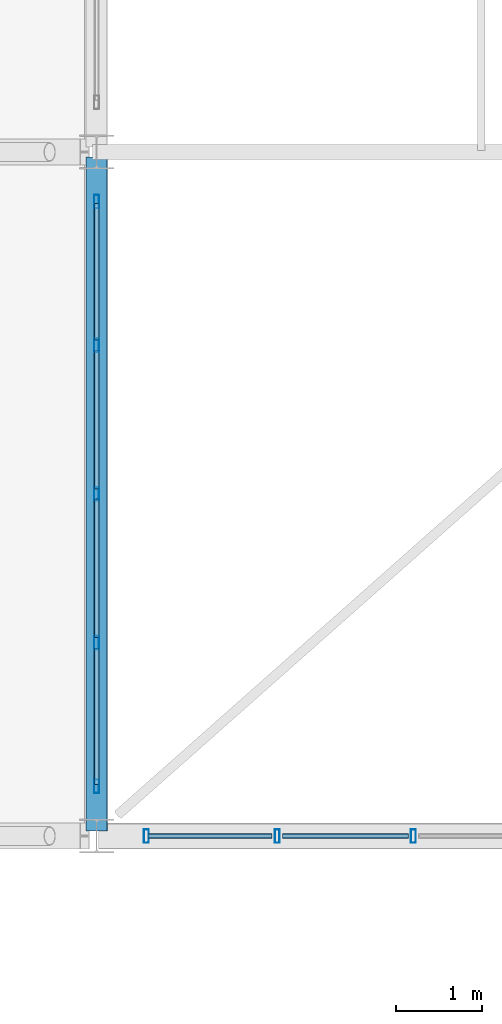
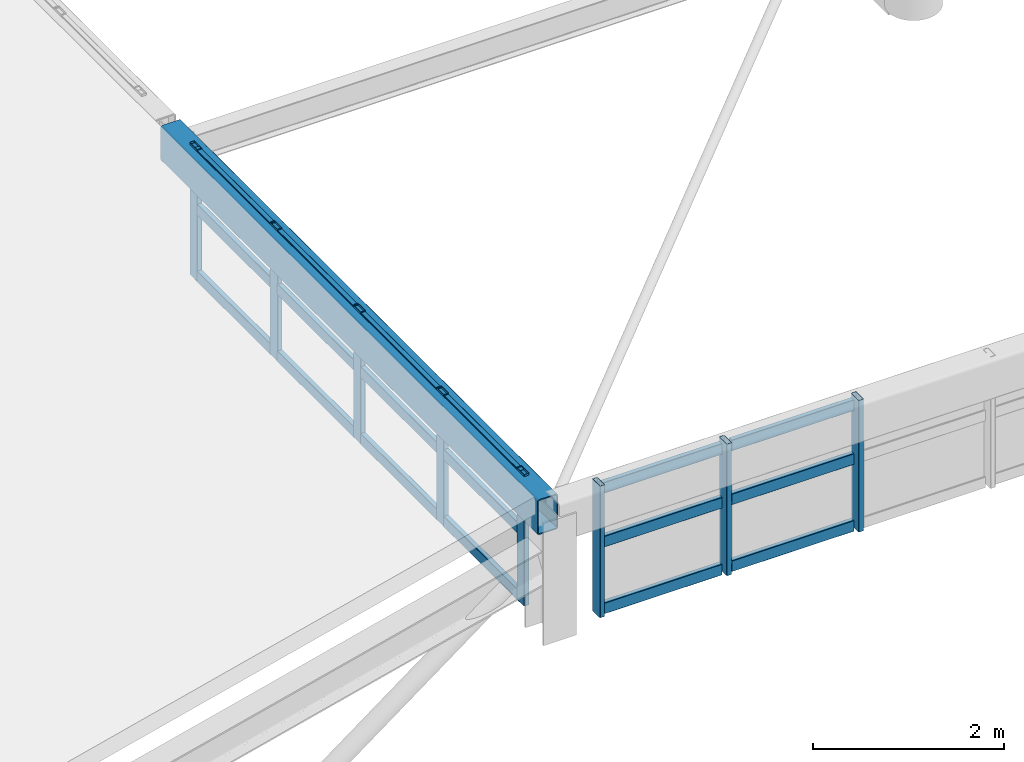
# One storey, part 12 of 128: 26 members, 1 beam, 2 elements without a shape of their own.
"""IFC4 building model written with IfcOpenShell, lengths in metres."""

from ifc_helpers import new_model, si_unit, derived_unit, direction, frame, origin, origin_2d, place, context, subcontext, project, spatial, hollow_rectangle, extrude, material, material_profile, profile_set, type_object, element, aggregate, save


model = new_model("IFC4")

# Units and contexts
model_context = context("Model", 3, precision=1e-05, world=origin(), true_north=direction((0.0, 1.0)))
body_context = subcontext(model_context, "Body", "Model", "MODEL_VIEW")
ifc_project = project(units=[si_unit("LENGTHUNIT", "METRE"), si_unit("AREAUNIT", "SQUARE_METRE"), si_unit("VOLUMEUNIT", "CUBIC_METRE"), si_unit("PLANEANGLEUNIT", "RADIAN"), si_unit("MASSUNIT", "GRAM", prefix="KILO"), derived_unit("THERMALTRANSMITTANCEUNIT", [(si_unit("MASSUNIT", "GRAM", prefix="KILO"), 1), (si_unit("TIMEUNIT", "SECOND"), -3), (si_unit("THERMODYNAMICTEMPERATUREUNIT", "KELVIN"), -1)])], contexts=[model_context])

# Site, building, storey
site_placement = place(None, origin())
site = spatial("IfcSite", under=ifc_project, at=site_placement, CompositionType="ELEMENT")
building_placement = place(site_placement, origin())
building = spatial("IfcBuilding", under=site, at=building_placement, Name="Zhenchuan Archway Interchange", CompositionType="ELEMENT")
storey_placement = place(building_placement, frame((0.0, 0.0, 14.39990234375)))
storey = spatial("IfcBuildingStorey", under=building, at=storey_placement, Name="L03", CompositionType="ELEMENT", Elevation=14.39990234375)

# Beam
ifc_material_1 = material(Name="Steel Q390", Category="steel")
ifc_material_profile_1 = material_profile(ifc_material_1, hollow_rectangle(XDim=0.25, YDim=0.449951171875, WallThickness=0.013916015625, InnerFilletRadius=0.013916015625, OuterFilletRadius=0.028076171875, at=origin_2d()), Name="RHS 450x250x14")
ifc_profile_set_1 = profile_set([ifc_material_profile_1], Name="Steel Q390")
beam_type = type_object("IfcBeamType", Name="BM_RING_RHS450", PredefinedType="BEAM", material=ifc_profile_set_1)
beam_placement = place(storey_placement, frame((27.0, 24.06005859375, 1.4501953125), z_axis=(0.0, 1.0, 0.0), x_axis=(-1.0, 0.0, 0.0)))
element("IfcBeam", 1, at=beam_placement, inside=storey, type_object=beam_type, Name="CONCOURSE CABLE-NET RING BEAM W-1", PredefinedType="BEAM", context=body_context, shape_type="SweptSolid", body=[
    extrude(hollow_rectangle(XDim=0.25, YDim=0.449951171875, WallThickness=0.013916015625, InnerFilletRadius=0.013916015625, OuterFilletRadius=0.028076171875, at=origin_2d()), origin(), (0.0, 0.0, 1.0), 7.8798828125),
])

# Curtain wall, members
ifc_material_2 = material(Name="Anodised Aluminium", Category="aluminium")
curtain_wall_type_1 = type_object("IfcCurtainWallType", Name="CW_UNIT_3", PredefinedType="NOTDEFINED", material=ifc_material_2)
curtain_wall_1_placement = place(storey_placement, origin())
curtain_wall_1 = element("IfcCurtainWall", 2, at=curtain_wall_1_placement, inside=storey, type_object=curtain_wall_type_1, Name="Unitised curtain wall CW:L03:RING-W1", PredefinedType="NOTDEFINED")
ifc_material_profile_2 = material_profile(ifc_material_2, hollow_rectangle(XDim=0.06005859375, YDim=0.159912109375, WallThickness=0.00390625, InnerFilletRadius=0.00390625, OuterFilletRadius=0.008056640625, at=origin_2d()), Name="ALU 160x60x4")
ifc_profile_set_2 = profile_set([ifc_material_profile_2], Name="Anodised Aluminium")
member_type_1 = type_object("IfcMemberType", Name="CW_MUL_150", PredefinedType="MULLION", material=ifc_profile_set_2)
member_1_placement = place(storey_placement, frame((27.0, 24.580078125, 0.02001953125), z_axis=(0.0, 0.0, 1.0), x_axis=(1.0, 0.0, 0.0)))
member_1 = element("IfcMember", 3, at=member_1_placement, type_object=member_type_1, Name="CW:L03:RING-W1 mullion 0", PredefinedType="MULLION", context=body_context, shape_type="SweptSolid", body=[
    extrude(hollow_rectangle(XDim=0.06005859375, YDim=0.159912109375, WallThickness=0.00390625, InnerFilletRadius=0.00390625, OuterFilletRadius=0.008056640625, at=origin_2d()), origin(), (0.0, 0.0, 1.0), 1.68017578125),
])
member_2_placement = place(storey_placement, frame((27.0, 26.260009765625, 0.02001953125), z_axis=(0.0, 0.0, 1.0), x_axis=(1.0, 0.0, 0.0)))
member_2 = element("IfcMember", 4, at=member_2_placement, type_object=member_type_1, Name="CW:L03:RING-W1 mullion 1", PredefinedType="MULLION", context=body_context, shape_type="SweptSolid", body=[
    extrude(hollow_rectangle(XDim=0.06005859375, YDim=0.159912109375, WallThickness=0.00390625, InnerFilletRadius=0.00390625, OuterFilletRadius=0.008056640625, at=origin_2d()), origin(), (0.0, 0.0, 1.0), 1.68017578125),
])
member_3_placement = place(storey_placement, frame((27.0, 28.0, 0.02001953125), z_axis=(0.0, 0.0, 1.0), x_axis=(1.0, 0.0, 0.0)))
member_3 = element("IfcMember", 5, at=member_3_placement, type_object=member_type_1, Name="CW:L03:RING-W1 mullion 2", PredefinedType="MULLION", context=body_context, shape_type="SweptSolid", body=[
    extrude(hollow_rectangle(XDim=0.06005859375, YDim=0.159912109375, WallThickness=0.00390625, InnerFilletRadius=0.00390625, OuterFilletRadius=0.008056640625, at=origin_2d()), origin(), (0.0, 0.0, 1.0), 1.68017578125),
])
member_4_placement = place(storey_placement, frame((27.0, 29.739990234375, 0.02001953125), z_axis=(0.0, 0.0, 1.0), x_axis=(1.0, 0.0, 0.0)))
member_4 = element("IfcMember", 6, at=member_4_placement, type_object=member_type_1, Name="CW:L03:RING-W1 mullion 3", PredefinedType="MULLION", context=body_context, shape_type="SweptSolid", body=[
    extrude(hollow_rectangle(XDim=0.06005859375, YDim=0.159912109375, WallThickness=0.00390625, InnerFilletRadius=0.00390625, OuterFilletRadius=0.008056640625, at=origin_2d()), origin(), (0.0, 0.0, 1.0), 1.68017578125),
])
member_5_placement = place(storey_placement, frame((27.0, 31.419921875, 0.02001953125), z_axis=(0.0, 0.0, 1.0), x_axis=(1.0, 0.0, 0.0)))
member_5 = element("IfcMember", 7, at=member_5_placement, type_object=member_type_1, Name="CW:L03:RING-W1 mullion 4", PredefinedType="MULLION", context=body_context, shape_type="SweptSolid", body=[
    extrude(hollow_rectangle(XDim=0.06005859375, YDim=0.159912109375, WallThickness=0.00390625, InnerFilletRadius=0.00390625, OuterFilletRadius=0.008056640625, at=origin_2d()), origin(), (0.0, 0.0, 1.0), 1.68017578125),
])

curtain_wall_type_2 = type_object("IfcCurtainWallType", Name="CW_UNIT_4", PredefinedType="NOTDEFINED", material=ifc_material_2)
curtain_wall_2_placement = place(storey_placement, origin())
curtain_wall_2 = element("IfcCurtainWall", 8, at=curtain_wall_2_placement, inside=storey, type_object=curtain_wall_type_2, Name="Unitised curtain wall CW:L03:RING-S1", PredefinedType="NOTDEFINED")
member_6_placement = place(storey_placement, frame((27.580078125, 24.0, 0.02001953125), z_axis=(0.0, 0.0, 1.0), x_axis=(1.0, 0.0, 0.0)))
member_6 = element("IfcMember", 9, at=member_6_placement, type_object=member_type_1, Name="CW:L03:RING-S1 mullion 0", PredefinedType="MULLION", context=body_context, shape_type="SweptSolid", body=[
    extrude(hollow_rectangle(XDim=0.06005859375, YDim=0.159912109375, WallThickness=0.00390625, InnerFilletRadius=0.00390625, OuterFilletRadius=0.008056640625, at=origin_2d()), origin(), (0.0, 0.0, 1.0), 1.68017578125),
])
member_7_placement = place(storey_placement, frame((29.112060546875, 24.0, 0.02001953125), z_axis=(0.0, 0.0, 1.0), x_axis=(1.0, 0.0, 0.0)))
member_7 = element("IfcMember", 10, at=member_7_placement, type_object=member_type_1, Name="CW:L03:RING-S1 mullion 1", PredefinedType="MULLION", context=body_context, shape_type="SweptSolid", body=[
    extrude(hollow_rectangle(XDim=0.06005859375, YDim=0.159912109375, WallThickness=0.00390625, InnerFilletRadius=0.00390625, OuterFilletRadius=0.008056640625, at=origin_2d()), origin(), (0.0, 0.0, 1.0), 1.68017578125),
])
member_8_placement = place(storey_placement, frame((30.7041015625, 24.0, 0.02001953125), z_axis=(0.0, 0.0, 1.0), x_axis=(1.0, 0.0, 0.0)))
member_8 = element("IfcMember", 11, at=member_8_placement, type_object=member_type_1, Name="CW:L03:RING-S1 mullion 2", PredefinedType="MULLION", context=body_context, shape_type="SweptSolid", body=[
    extrude(hollow_rectangle(XDim=0.06005859375, YDim=0.159912109375, WallThickness=0.00390625, InnerFilletRadius=0.00390625, OuterFilletRadius=0.008056640625, at=origin_2d()), origin(), (0.0, 0.0, 1.0), 1.68017578125),
])

# Member
ifc_material_profile_3 = material_profile(ifc_material_2, hollow_rectangle(XDim=0.06005859375, YDim=0.139892578125, WallThickness=0.00341796875, InnerFilletRadius=0.00341796875, OuterFilletRadius=0.007080078125, at=origin_2d()), Name="ALU 140x60x3.5")
ifc_profile_set_3 = profile_set([ifc_material_profile_3], Name="Anodised Aluminium")
member_type_2 = type_object("IfcMemberType", Name="CW_TRN_140", PredefinedType="USERDEFINED", material=ifc_profile_set_3)
member_9_placement = place(storey_placement, frame((27.0, 24.60009765625, 0.080078125), z_axis=(0.0, 1.0, 0.0), x_axis=(-1.0, 0.0, 0.0)))
member_9 = element("IfcMember", 12, at=member_9_placement, type_object=member_type_2, Name="CW:L03:RING-W1 transom 0-1", ObjectType="TRANSOM", PredefinedType="USERDEFINED", context=body_context, shape_type="SweptSolid", body=[
    extrude(hollow_rectangle(XDim=0.06005859375, YDim=0.139892578125, WallThickness=0.00341796875, InnerFilletRadius=0.00341796875, OuterFilletRadius=0.007080078125, at=origin_2d()), origin(), (0.0, 0.0, 1.0), 1.599853515625),
])

member_10_placement = place(storey_placement, frame((27.0, 24.60009765625, 0.93310546875), z_axis=(0.0, 1.0, 0.0), x_axis=(-1.0, 0.0, 0.0)))
member_10 = element("IfcMember", 13, at=member_10_placement, type_object=member_type_2, Name="CW:L03:RING-W1 transom 0-2", ObjectType="TRANSOM", PredefinedType="USERDEFINED", context=body_context, shape_type="SweptSolid", body=[
    extrude(hollow_rectangle(XDim=0.06005859375, YDim=0.139892578125, WallThickness=0.00341796875, InnerFilletRadius=0.00341796875, OuterFilletRadius=0.007080078125, at=origin_2d()), origin(), (0.0, 0.0, 1.0), 1.599853515625),
])

member_11_placement = place(storey_placement, frame((27.0, 24.60009765625, 1.6201171875), z_axis=(0.0, 1.0, 0.0), x_axis=(-1.0, 0.0, 0.0)))
member_11 = element("IfcMember", 14, at=member_11_placement, type_object=member_type_2, Name="CW:L03:RING-W1 transom 0-3", ObjectType="TRANSOM", PredefinedType="USERDEFINED", context=body_context, shape_type="SweptSolid", body=[
    extrude(hollow_rectangle(XDim=0.06005859375, YDim=0.139892578125, WallThickness=0.00341796875, InnerFilletRadius=0.00341796875, OuterFilletRadius=0.007080078125, at=origin_2d()), origin(), (0.0, 0.0, 1.0), 1.599853515625),
])

member_12_placement = place(storey_placement, frame((27.0, 26.320068359375, 0.080078125), z_axis=(0.0, 1.0, 0.0), x_axis=(-1.0, 0.0, 0.0)))
member_12 = element("IfcMember", 15, at=member_12_placement, type_object=member_type_2, Name="CW:L03:RING-W1 transom 1-1", ObjectType="TRANSOM", PredefinedType="USERDEFINED", context=body_context, shape_type="SweptSolid", body=[
    extrude(hollow_rectangle(XDim=0.06005859375, YDim=0.139892578125, WallThickness=0.00341796875, InnerFilletRadius=0.00341796875, OuterFilletRadius=0.007080078125, at=origin_2d()), origin(), (0.0, 0.0, 1.0), 1.619873046875),
])

member_13_placement = place(storey_placement, frame((27.0, 26.320068359375, 0.93310546875), z_axis=(0.0, 1.0, 0.0), x_axis=(-1.0, 0.0, 0.0)))
member_13 = element("IfcMember", 16, at=member_13_placement, type_object=member_type_2, Name="CW:L03:RING-W1 transom 1-2", ObjectType="TRANSOM", PredefinedType="USERDEFINED", context=body_context, shape_type="SweptSolid", body=[
    extrude(hollow_rectangle(XDim=0.06005859375, YDim=0.139892578125, WallThickness=0.00341796875, InnerFilletRadius=0.00341796875, OuterFilletRadius=0.007080078125, at=origin_2d()), origin(), (0.0, 0.0, 1.0), 1.619873046875),
])

member_14_placement = place(storey_placement, frame((27.0, 26.320068359375, 1.6201171875), z_axis=(0.0, 1.0, 0.0), x_axis=(-1.0, 0.0, 0.0)))
member_14 = element("IfcMember", 17, at=member_14_placement, type_object=member_type_2, Name="CW:L03:RING-W1 transom 1-3", ObjectType="TRANSOM", PredefinedType="USERDEFINED", context=body_context, shape_type="SweptSolid", body=[
    extrude(hollow_rectangle(XDim=0.06005859375, YDim=0.139892578125, WallThickness=0.00341796875, InnerFilletRadius=0.00341796875, OuterFilletRadius=0.007080078125, at=origin_2d()), origin(), (0.0, 0.0, 1.0), 1.619873046875),
])

member_15_placement = place(storey_placement, frame((27.0, 28.06005859375, 0.080078125), z_axis=(0.0, 1.0, 0.0), x_axis=(-1.0, 0.0, 0.0)))
member_15 = element("IfcMember", 18, at=member_15_placement, type_object=member_type_2, Name="CW:L03:RING-W1 transom 2-1", ObjectType="TRANSOM", PredefinedType="USERDEFINED", context=body_context, shape_type="SweptSolid", body=[
    extrude(hollow_rectangle(XDim=0.06005859375, YDim=0.139892578125, WallThickness=0.00341796875, InnerFilletRadius=0.00341796875, OuterFilletRadius=0.007080078125, at=origin_2d()), origin(), (0.0, 0.0, 1.0), 1.619873046875),
])

member_16_placement = place(storey_placement, frame((27.0, 28.06005859375, 0.93310546875), z_axis=(0.0, 1.0, 0.0), x_axis=(-1.0, 0.0, 0.0)))
member_16 = element("IfcMember", 19, at=member_16_placement, type_object=member_type_2, Name="CW:L03:RING-W1 transom 2-2", ObjectType="TRANSOM", PredefinedType="USERDEFINED", context=body_context, shape_type="SweptSolid", body=[
    extrude(hollow_rectangle(XDim=0.06005859375, YDim=0.139892578125, WallThickness=0.00341796875, InnerFilletRadius=0.00341796875, OuterFilletRadius=0.007080078125, at=origin_2d()), origin(), (0.0, 0.0, 1.0), 1.619873046875),
])

member_17_placement = place(storey_placement, frame((27.0, 28.06005859375, 1.6201171875), z_axis=(0.0, 1.0, 0.0), x_axis=(-1.0, 0.0, 0.0)))
member_17 = element("IfcMember", 20, at=member_17_placement, type_object=member_type_2, Name="CW:L03:RING-W1 transom 2-3", ObjectType="TRANSOM", PredefinedType="USERDEFINED", context=body_context, shape_type="SweptSolid", body=[
    extrude(hollow_rectangle(XDim=0.06005859375, YDim=0.139892578125, WallThickness=0.00341796875, InnerFilletRadius=0.00341796875, OuterFilletRadius=0.007080078125, at=origin_2d()), origin(), (0.0, 0.0, 1.0), 1.619873046875),
])

member_18_placement = place(storey_placement, frame((27.0, 29.800048828125, 0.080078125), z_axis=(0.0, 1.0, 0.0), x_axis=(-1.0, 0.0, 0.0)))
member_18 = element("IfcMember", 21, at=member_18_placement, type_object=member_type_2, Name="CW:L03:RING-W1 transom 3-1", ObjectType="TRANSOM", PredefinedType="USERDEFINED", context=body_context, shape_type="SweptSolid", body=[
    extrude(hollow_rectangle(XDim=0.06005859375, YDim=0.139892578125, WallThickness=0.00341796875, InnerFilletRadius=0.00341796875, OuterFilletRadius=0.007080078125, at=origin_2d()), origin(), (0.0, 0.0, 1.0), 1.599853515625),
])

member_19_placement = place(storey_placement, frame((27.0, 29.800048828125, 0.93310546875), z_axis=(0.0, 1.0, 0.0), x_axis=(-1.0, 0.0, 0.0)))
member_19 = element("IfcMember", 22, at=member_19_placement, type_object=member_type_2, Name="CW:L03:RING-W1 transom 3-2", ObjectType="TRANSOM", PredefinedType="USERDEFINED", context=body_context, shape_type="SweptSolid", body=[
    extrude(hollow_rectangle(XDim=0.06005859375, YDim=0.139892578125, WallThickness=0.00341796875, InnerFilletRadius=0.00341796875, OuterFilletRadius=0.007080078125, at=origin_2d()), origin(), (0.0, 0.0, 1.0), 1.599853515625),
])

member_20_placement = place(storey_placement, frame((27.0, 29.800048828125, 1.6201171875), z_axis=(0.0, 1.0, 0.0), x_axis=(-1.0, 0.0, 0.0)))
member_20 = element("IfcMember", 23, at=member_20_placement, type_object=member_type_2, Name="CW:L03:RING-W1 transom 3-3", ObjectType="TRANSOM", PredefinedType="USERDEFINED", context=body_context, shape_type="SweptSolid", body=[
    extrude(hollow_rectangle(XDim=0.06005859375, YDim=0.139892578125, WallThickness=0.00341796875, InnerFilletRadius=0.00341796875, OuterFilletRadius=0.007080078125, at=origin_2d()), origin(), (0.0, 0.0, 1.0), 1.599853515625),
])

aggregate(curtain_wall_1, [member_1, member_2, member_3, member_4, member_5, member_9, member_10, member_11, member_12, member_13, member_14, member_15, member_16, member_17, member_18, member_19, member_20])

member_21_placement = place(storey_placement, frame((27.60009765625, 24.0, 0.080078125), z_axis=(1.0, 0.0, 0.0), x_axis=(0.0, 1.0, 0.0)))
member_21 = element("IfcMember", 24, at=member_21_placement, type_object=member_type_2, Name="CW:L03:RING-S1 transom 0-1", ObjectType="TRANSOM", PredefinedType="USERDEFINED", context=body_context, shape_type="SweptSolid", body=[
    extrude(hollow_rectangle(XDim=0.06005859375, YDim=0.139892578125, WallThickness=0.00341796875, InnerFilletRadius=0.00341796875, OuterFilletRadius=0.007080078125, at=origin_2d()), origin(), (0.0, 0.0, 1.0), 1.451904296875),
])

member_22_placement = place(storey_placement, frame((27.60009765625, 24.0, 0.93310546875), z_axis=(1.0, 0.0, 0.0), x_axis=(0.0, 1.0, 0.0)))
member_22 = element("IfcMember", 25, at=member_22_placement, type_object=member_type_2, Name="CW:L03:RING-S1 transom 0-2", ObjectType="TRANSOM", PredefinedType="USERDEFINED", context=body_context, shape_type="SweptSolid", body=[
    extrude(hollow_rectangle(XDim=0.06005859375, YDim=0.139892578125, WallThickness=0.00341796875, InnerFilletRadius=0.00341796875, OuterFilletRadius=0.007080078125, at=origin_2d()), origin(), (0.0, 0.0, 1.0), 1.451904296875),
])

member_23_placement = place(storey_placement, frame((27.60009765625, 24.0, 1.6201171875), z_axis=(1.0, 0.0, 0.0), x_axis=(0.0, 1.0, 0.0)))
member_23 = element("IfcMember", 26, at=member_23_placement, type_object=member_type_2, Name="CW:L03:RING-S1 transom 0-3", ObjectType="TRANSOM", PredefinedType="USERDEFINED", context=body_context, shape_type="SweptSolid", body=[
    extrude(hollow_rectangle(XDim=0.06005859375, YDim=0.139892578125, WallThickness=0.00341796875, InnerFilletRadius=0.00341796875, OuterFilletRadius=0.007080078125, at=origin_2d()), origin(), (0.0, 0.0, 1.0), 1.451904296875),
])

member_24_placement = place(storey_placement, frame((29.172119140625, 24.0, 0.080078125), z_axis=(1.0, 0.0, 0.0), x_axis=(0.0, 1.0, 0.0)))
member_24 = element("IfcMember", 27, at=member_24_placement, type_object=member_type_2, Name="CW:L03:RING-S1 transom 1-1", ObjectType="TRANSOM", PredefinedType="USERDEFINED", context=body_context, shape_type="SweptSolid", body=[
    extrude(hollow_rectangle(XDim=0.06005859375, YDim=0.139892578125, WallThickness=0.00341796875, InnerFilletRadius=0.00341796875, OuterFilletRadius=0.007080078125, at=origin_2d()), origin(), (0.0, 0.0, 1.0), 1.471923828125),
])

member_25_placement = place(storey_placement, frame((29.172119140625, 24.0, 0.93310546875), z_axis=(1.0, 0.0, 0.0), x_axis=(0.0, 1.0, 0.0)))
member_25 = element("IfcMember", 28, at=member_25_placement, type_object=member_type_2, Name="CW:L03:RING-S1 transom 1-2", ObjectType="TRANSOM", PredefinedType="USERDEFINED", context=body_context, shape_type="SweptSolid", body=[
    extrude(hollow_rectangle(XDim=0.06005859375, YDim=0.139892578125, WallThickness=0.00341796875, InnerFilletRadius=0.00341796875, OuterFilletRadius=0.007080078125, at=origin_2d()), origin(), (0.0, 0.0, 1.0), 1.471923828125),
])

member_26_placement = place(storey_placement, frame((29.172119140625, 24.0, 1.6201171875), z_axis=(1.0, 0.0, 0.0), x_axis=(0.0, 1.0, 0.0)))
member_26 = element("IfcMember", 29, at=member_26_placement, type_object=member_type_2, Name="CW:L03:RING-S1 transom 1-3", ObjectType="TRANSOM", PredefinedType="USERDEFINED", context=body_context, shape_type="SweptSolid", body=[
    extrude(hollow_rectangle(XDim=0.06005859375, YDim=0.139892578125, WallThickness=0.00341796875, InnerFilletRadius=0.00341796875, OuterFilletRadius=0.007080078125, at=origin_2d()), origin(), (0.0, 0.0, 1.0), 1.471923828125),
])

aggregate(curtain_wall_2, [member_6, member_7, member_8, member_21, member_22, member_23, member_24, member_25, member_26])

save(model, "model.ifc")
